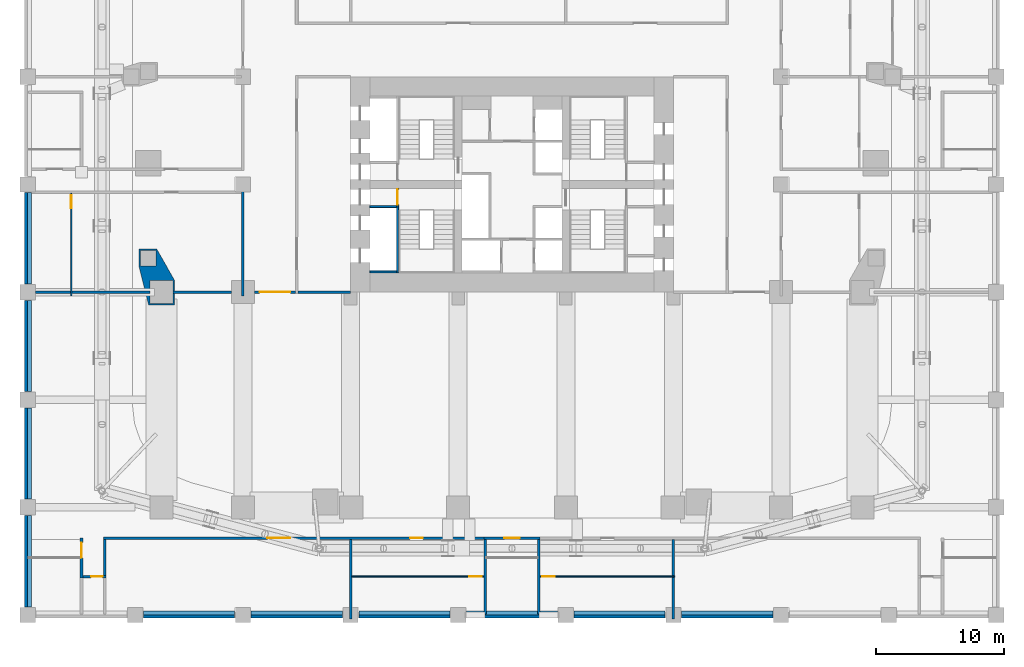
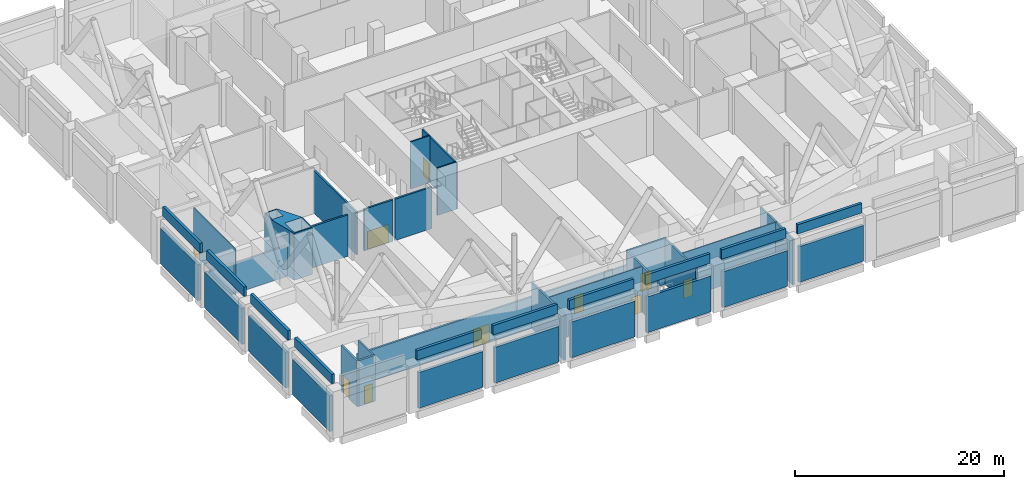
# One storey, part 7 of 17: 41 walls, 10 doors, 10 openings.
"""IFC4 building model written with IfcOpenShell, lengths in metres."""

import ifcopenshell
import ifcopenshell.guid

model = None  # the IFC model being written
_history = None  # IfcOwnerHistory: only IFC2X3 demands one
_inside = {}  # id of a spatial element -> (the spatial element, [elements in it])
_under = {}  # id of a project, library or spatial element -> (it, [spatial elements below it])
_declared = {}  # id of a project -> (the project, [libraries it declares])
_typed = {}  # id of a type object -> (the type object, [elements of that type])
_made_of = {}  # id of a material, layer set ... -> (it, [elements and type objects made of it])


def new_model(schema):
    """Start an empty IFC model of exactly this schema.

    Asked for "IFC4X3", IfcOpenShell would pick the latest addendum, in which some entities
    have other attributes; the version numbers below select the first issue.
    IFC2X3 requires an IfcOwnerHistory on every rooted entity: one is made here for all.
    """
    global model, _history
    if schema == "IFC4X3":
        model = ifcopenshell.file(schema_version=(4, 3, 0, 0))
    else:
        model = ifcopenshell.file(schema=schema)
    _inside.clear()
    _under.clear()
    _declared.clear()
    _typed.clear()
    _made_of.clear()
    _history = None
    if model.schema == "IFC2X3":
        org = make("IfcOrganization", Name="unknown")
        user = make(
            "IfcPersonAndOrganization",
            ThePerson=make("IfcPerson", FamilyName="unknown"),
            TheOrganization=org,
        )
        app = make(
            "IfcApplication",
            ApplicationDeveloper=org,
            Version="unknown",
            ApplicationFullName="unknown",
            ApplicationIdentifier="unknown",
        )
        _history = make(
            "IfcOwnerHistory",
            OwningUser=user,
            OwningApplication=app,
            ChangeAction="ADDED",
            CreationDate=0,
        )
    return model


def make(cls, **values):
    """One entity of the class cls with the attributes given. An attribute that is None is left unset."""
    return model.create_entity(
        cls, **{name: value for name, value in values.items() if value is not None}
    )


def rooted(cls, **values):
    """An entity with a GlobalId (a new one), such as an element, a storey or a relation."""
    return make(cls, GlobalId=ifcopenshell.guid.new(), OwnerHistory=_history, **values)


def si_unit(unit_type, name, prefix=None):
    """IfcSIUnit, for example si_unit("LENGTHUNIT", "METRE", prefix="MILLI")."""
    return make("IfcSIUnit", UnitType=unit_type, Prefix=prefix, Name=name)


def assignment(units):
    """IfcUnitAssignment: the units of a project."""
    return None if units is None else make("IfcUnitAssignment", Units=units)


def point(xyz):
    """IfcCartesianPoint."""
    return None if xyz is None else make("IfcCartesianPoint", Coordinates=xyz)


def direction(xyz):
    """IfcDirection."""
    return None if xyz is None else make("IfcDirection", DirectionRatios=xyz)


def frame(location, z_axis=None, x_axis=None):
    """IfcAxis2Placement3D, a coordinate frame: its origin and axes. An axis left out is left unset."""
    return make(
        "IfcAxis2Placement3D",
        Location=point(location),
        Axis=direction(z_axis),
        RefDirection=direction(x_axis),
    )


def frame_2d(location, x_axis=None):
    """IfcAxis2Placement2D, a coordinate frame in the plane: its origin and x axis."""
    return make(
        "IfcAxis2Placement2D", Location=point(location), RefDirection=direction(x_axis)
    )


def origin():
    """The frame at (0, 0, 0) with its axes left unset."""
    return frame((0.0, 0.0, 0.0))


def place(relative_to, where):
    """IfcLocalPlacement: puts the frame where relative to a parent placement (None: the world)."""
    return make(
        "IfcLocalPlacement", PlacementRelTo=relative_to, RelativePlacement=where
    )


def context(
    kind, dimensions, precision=None, world=None, true_north=None, identifier=None
):
    """IfcGeometricRepresentationContext, for example the 3D "Model" context."""
    return make(
        "IfcGeometricRepresentationContext",
        ContextIdentifier=identifier,
        ContextType=kind,
        CoordinateSpaceDimension=dimensions,
        Precision=precision,
        WorldCoordinateSystem=world,
        TrueNorth=true_north,
    )


def subcontext(parent, identifier, kind, view, scale=None):
    """IfcGeometricRepresentationSubContext, for example "Body" below "Model"."""
    return make(
        "IfcGeometricRepresentationSubContext",
        ContextIdentifier=identifier,
        ContextType=kind,
        ParentContext=parent,
        TargetScale=scale,
        TargetView=view,
    )


def project(units=None, contexts=None):
    """IfcProject with its units and contexts."""
    return rooted(
        "IfcProject",
        Name="project",
        RepresentationContexts=contexts,
        UnitsInContext=assignment(units),
    )


def spatial(cls, under=None, at=None, **own):
    """A site, building, storey or space (cls), placed at a placement, below another one or the project."""
    s = rooted(cls, ObjectPlacement=at, **own)
    if under is not None:
        _under.setdefault(under.id(), (under, []))[1].append(s)
    return s


def polyline(points):
    """IfcPolyline through the points."""
    return make("IfcPolyline", Points=[point(p) for p in points])


def profile(cls, at=None, kind="AREA", **sizes):
    """A parametric profile (cls). Its sizes go by their IFC names, for example OverallWidth=200.0."""
    return make(cls, ProfileType=kind, Position=at, **sizes)


def rectangle(**sizes):
    """IfcRectangleProfileDef."""
    return profile("IfcRectangleProfileDef", **sizes)


def outline(outer, holes=None, kind="AREA"):
    """IfcArbitraryClosedProfileDef: a profile drawn as a closed curve; with holes, ...WithVoids."""
    if holes is None:
        return make("IfcArbitraryClosedProfileDef", ProfileType=kind, OuterCurve=outer)
    return make(
        "IfcArbitraryProfileDefWithVoids",
        ProfileType=kind,
        OuterCurve=outer,
        InnerCurves=holes,
    )


def extrude(swept, where, along, depth):
    """IfcExtrudedAreaSolid: the profile swept, set in the frame where, extruded along a direction by depth."""
    return make(
        "IfcExtrudedAreaSolid",
        SweptArea=swept,
        Position=where,
        ExtrudedDirection=direction(along),
        Depth=depth,
    )


def shape(context_of_items, identifier, shape_type, items):
    """IfcShapeRepresentation: the items that make up one representation, for example the "Body"."""
    return make(
        "IfcShapeRepresentation",
        ContextOfItems=context_of_items,
        RepresentationIdentifier=identifier,
        RepresentationType=shape_type,
        Items=items,
    )


def material(Name=None, Category=None):
    """IfcMaterial."""
    return make("IfcMaterial", Name=Name, Category=Category)


def layer(
    of_material, thickness, ventilated=None, Name=None, Category=None, Priority=None
):
    """IfcMaterialLayer: one layer of a wall or slab, of a material (None: an air gap)."""
    return make(
        "IfcMaterialLayer",
        Material=of_material,
        LayerThickness=thickness,
        IsVentilated=ventilated,
        Name=Name,
        Category=Category,
        Priority=Priority,
    )


def layer_set(layers, Name=None):
    """IfcMaterialLayerSet."""
    return make("IfcMaterialLayerSet", MaterialLayers=layers, LayerSetName=Name)


def made_of(thing, what):
    """Note that an element or type object is made of a material, layer set ...; save() writes the relation."""
    if what is not None:
        _made_of.setdefault(what.id(), (what, []))[1].append(thing)
    return thing


def type_object(cls, material=None, **own):
    """A type object (cls), such as IfcWallType, which elements share."""
    return made_of(rooted(cls, **own), material)


def element(
    cls,
    number,
    at=None,
    inside=None,
    cuts=None,
    type_object=None,
    material=None,
    context=None,
    identifier="Body",
    shape_type=None,
    held_by="IfcProductDefinitionShape",
    body=None,
    shapes=None,
    **own,
):
    """One element of the class cls, such as IfcWall. Its Tag is "e" and its number.

    at: its placement. inside: the storey or other place that contains it. cuts: it is an
    opening in that element (IfcRelVoidsElement). A single representation is given by context,
    identifier, shape_type and body (its items); several are given by shapes. held_by: the class
    of the entity that holds the representations. save() writes the other relations.
    """
    e = rooted(cls, Tag="e%d" % number, ObjectPlacement=at, **own)
    if body is not None:
        shapes = [shape(context, identifier, shape_type, body)]
    if shapes is not None:
        e.Representation = make(held_by, Representations=shapes)
    if inside is not None:
        _inside.setdefault(inside.id(), (inside, []))[1].append(e)
    if cuts is not None:
        rooted(
            "IfcRelVoidsElement", RelatingBuildingElement=cuts, RelatedOpeningElement=e
        )
    if type_object is not None:
        _typed.setdefault(type_object.id(), (type_object, []))[1].append(e)
    return made_of(e, material)


def fill(opening, filler):
    """IfcRelFillsElement: the door or window that sits in an opening."""
    return rooted(
        "IfcRelFillsElement",
        RelatingOpeningElement=opening,
        RelatedBuildingElement=filler,
    )


def aggregate(whole, parts):
    """IfcRelAggregates: a whole, such as a stair, and the parts it consists of."""
    return rooted("IfcRelAggregates", RelatingObject=whole, RelatedObjects=parts)


def save(model, path):
    """Write the relations noted so far, then the file.

    IfcRelAggregates (storeys below a building ...), IfcRelContainedInSpatialStructure (elements
    in a storey), IfcRelDefinesByType, IfcRelAssociatesMaterial and IfcRelDeclares: one each for
    every whole, place, type object, material and project.
    """
    for whole, parts in _under.values():
        aggregate(whole, parts)
    for where, things in _inside.values():
        rooted(
            "IfcRelContainedInSpatialStructure",
            RelatedElements=things,
            RelatingStructure=where,
        )
    for kind, things in _typed.values():
        rooted("IfcRelDefinesByType", RelatedObjects=things, RelatingType=kind)
    for what, things in _made_of.values():
        rooted("IfcRelAssociatesMaterial", RelatedObjects=things, RelatingMaterial=what)
    for by, libraries in _declared.values():
        rooted("IfcRelDeclares", RelatingContext=by, RelatedDefinitions=libraries)
    model.write(path)


model = new_model("IFC4")

# Units and contexts
model_context = context("Model", 3, precision=1e-05, world=origin(), true_north=direction((0.0, 1.0)))
body_context = subcontext(model_context, "Body", "Model", "MODEL_VIEW")
ifc_project = project(units=[si_unit("LENGTHUNIT", "METRE"), si_unit("AREAUNIT", "SQUARE_METRE"), si_unit("VOLUMEUNIT", "CUBIC_METRE"), si_unit("PLANEANGLEUNIT", "RADIAN"), si_unit("MASSUNIT", "GRAM", prefix="KILO")], contexts=[model_context])

# Site, building, storey
site_placement = place(None, origin())
site = spatial("IfcSite", under=ifc_project, at=site_placement, CompositionType="ELEMENT")
building_placement = place(site_placement, origin())
building = spatial("IfcBuilding", under=site, at=building_placement, Name="Marenta Gate Hotel Tower", CompositionType="ELEMENT")
storey_placement = place(building_placement, frame((0.0, 0.0, 31.0)))
storey = spatial("IfcBuildingStorey", under=building, at=storey_placement, Name="L05", CompositionType="ELEMENT", Elevation=31.0)

# Walls
ifc_material_1 = material(Name="Concrete C40 board-marked", Category="concrete")
ifc_layer_1 = layer(ifc_material_1, 0.300048828125)
ifc_layer_set_1 = layer_set([ifc_layer_1], Name="Concrete C40 board-marked")
wall_type_1 = type_object("IfcWallType", Name="Board-marked concrete wall 300 mm", PredefinedType="NOTDEFINED", material=ifc_layer_set_1)
for number, where, z_axis, x_axis, name in (
    (1, (-28.760009765625, -25.2900390625, 0.0), (0.0, 0.0, 1.0), (1.0, 0.0, 0.0), "L05-CLD-P-S001"),
    (2, (-20.360107421875, -25.2900390625, 0.0), (0.0, 0.0, 1.0), (1.0, 0.0, 0.0), "L05-CLD-P-S002"),
):
    element("IfcWall", number, at=place(storey_placement, frame(where, z_axis=z_axis, x_axis=x_axis)), inside=storey, type_object=wall_type_1, Name=name, PredefinedType="NOTDEFINED", context=body_context, shape_type="SweptSolid", body=[
        extrude(rectangle(XDim=7.1201171875, YDim=0.300048828125, at=frame_2d((3.56005859375, 0.0))), origin(), (0.0, 0.0, 1.0), 4.179931640625),
    ])
wall_1_placement = place(storey_placement, frame((-11.9599609375, -25.2900390625, 0.0), z_axis=(0.0, 0.0, 1.0), x_axis=(1.0, 0.0, 0.0)))
element("IfcWall", 3, at=wall_1_placement, inside=storey, type_object=wall_type_1, Name="L05-CLD-P-S003", PredefinedType="NOTDEFINED", context=body_context, shape_type="SweptSolid", body=[
    extrude(rectangle(XDim=7.119873046875, YDim=0.300048828125, at=frame_2d((3.56005859375, 0.0))), origin(), (0.0, 0.0, 1.0), 4.179931640625),
])
wall_2_placement = place(storey_placement, frame((-3.56005859375, -25.2900390625, 0.0), z_axis=(0.0, 0.0, 1.0), x_axis=(1.0, 0.0, 0.0)))
element("IfcWall", 4, at=wall_2_placement, inside=storey, type_object=wall_type_1, Name="L05-CLD-P-S004", PredefinedType="NOTDEFINED", context=body_context, shape_type="SweptSolid", body=[
    extrude(rectangle(XDim=7.1201171875, YDim=0.300048828125, at=frame_2d((3.56005859375, 0.0))), origin(), (0.0, 0.0, 1.0), 4.179931640625),
])
wall_3_placement = place(storey_placement, frame((4.840087890625, -25.2900390625, 0.0), z_axis=(0.0, 0.0, 1.0), x_axis=(1.0, 0.0, 0.0)))
element("IfcWall", 5, at=wall_3_placement, inside=storey, type_object=wall_type_1, Name="L05-CLD-P-S005", PredefinedType="NOTDEFINED", context=body_context, shape_type="SweptSolid", body=[
    extrude(rectangle(XDim=7.119873046875, YDim=0.300048828125, at=frame_2d((3.56005859375, 0.0))), origin(), (0.0, 0.0, 1.0), 4.179931640625),
])
for number, where, z_axis, x_axis, name in (
    (6, (13.239990234375, -25.2900390625, 0.0), (0.0, 0.0, 1.0), (1.0, 0.0, 0.0), "L05-CLD-P-S006"),
    (7, (-37.889892578125, 7.760009765625, 0.0), (0.0, 0.0, 1.0), (0.0, -1.0, 0.0), "L05-CLD-P-W004"),
    (8, (-37.889892578125, -0.639892578125, 0.0), (0.0, 0.0, 1.0), (0.0, -1.0, 0.0), "L05-CLD-P-W005"),
):
    element("IfcWall", number, at=place(storey_placement, frame(where, z_axis=z_axis, x_axis=x_axis)), inside=storey, type_object=wall_type_1, Name=name, PredefinedType="NOTDEFINED", context=body_context, shape_type="SweptSolid", body=[
        extrude(rectangle(XDim=7.1201171875, YDim=0.300048828125, at=frame_2d((3.56005859375, 0.0))), origin(), (0.0, 0.0, 1.0), 4.179931640625),
    ])
wall_4_placement = place(storey_placement, frame((-37.889892578125, -9.0400390625, 0.0), z_axis=(0.0, 0.0, 1.0), x_axis=(0.0, -1.0, 0.0)))
element("IfcWall", 9, at=wall_4_placement, inside=storey, type_object=wall_type_1, Name="L05-CLD-P-W006", PredefinedType="NOTDEFINED", context=body_context, shape_type="SweptSolid", body=[
    extrude(rectangle(XDim=7.119873046875, YDim=0.300048828125, at=frame_2d((3.56005859375, 0.0))), origin(), (0.0, 0.0, 1.0), 4.179931640625),
])
wall_5_placement = place(storey_placement, frame((-37.889892578125, -17.43994140625, 0.0), z_axis=(0.0, 0.0, 1.0), x_axis=(0.0, -1.0, 0.0)))
element("IfcWall", 10, at=wall_5_placement, inside=storey, type_object=wall_type_1, Name="L05-CLD-P-W007", PredefinedType="NOTDEFINED", context=body_context, shape_type="SweptSolid", body=[
    extrude(rectangle(XDim=7.1201171875, YDim=0.300048828125, at=frame_2d((3.56005859375, 0.0))), origin(), (0.0, 0.0, 1.0), 4.179931640625),
])
ifc_material_2 = material(Name="Concrete blockwork", Category="masonry")
ifc_layer_2 = layer(ifc_material_2, 0.199951171875)
ifc_layer_set_2 = layer_set([ifc_layer_2], Name="Concrete blockwork")
wall_type_2 = type_object("IfcWallType", Name="Compartment wall 200 REI 180", PredefinedType="PARTITIONING", material=ifc_layer_set_2)
wall_6_placement = place(storey_placement, frame((-37.198974609375, 0.0, 0.0), z_axis=(0.0, 0.0, 1.0), x_axis=(1.0, 0.0, 0.0)))
element("IfcWall", 11, at=wall_6_placement, inside=storey, type_object=wall_type_2, Name="L05-CMP-W01", PredefinedType="PARTITIONING", context=body_context, shape_type="SweptSolid", body=[
    extrude(rectangle(XDim=8.93505859375, YDim=0.199951171875, at=frame_2d((4.467529296875, 0.0))), origin(), (0.0, 0.0, 1.0), 3.580078125),
])
wall_7_placement = place(storey_placement, frame((-26.4619140625, 0.0, 0.0), z_axis=(0.0, 0.0, 1.0), x_axis=(1.0, 0.0, 0.0)))
element("IfcWall", 12, at=wall_7_placement, inside=storey, type_object=wall_type_2, Name="L05-CMP-W02", PredefinedType="PARTITIONING", context=body_context, shape_type="SweptSolid", body=[
    extrude(rectangle(XDim=4.56103515625, YDim=0.199951171875, at=frame_2d((2.280517578125, 0.0))), origin(), (0.0, 0.0, 1.0), 4.85009765625),
])

# Wall, opening, door
wall_8_placement = place(storey_placement, frame((-20.09912109375, 0.0, 0.0), z_axis=(0.0, 0.0, 1.0), x_axis=(1.0, 0.0, 0.0)))
wall_8 = element("IfcWall", 13, at=wall_8_placement, inside=storey, type_object=wall_type_2, Name="L05-CMP-W03", PredefinedType="PARTITIONING", context=body_context, shape_type="SweptSolid", body=[
    extrude(rectangle(XDim=3.1982421875, YDim=0.199951171875, at=frame_2d((1.59912109375, 0.0))), origin(), (0.0, 0.0, 1.0), 4.85009765625),
])
opening_1_placement = place(wall_8_placement, frame((0.39892578125, 0.0, 0.0)))
opening_1 = element("IfcOpeningElement", 14, at=opening_1_placement, cuts=wall_8, Name="Opening S06-FD1", PredefinedType="OPENING", context=body_context, shape_type="SweptSolid", body=[
    extrude(rectangle(XDim=2.39990234375, YDim=2.10009765625, at=frame_2d((1.199951171875, 1.050048828125))), frame((0.0, 0.10009765625, 0.0), z_axis=(0.0, -1.0, 0.0), x_axis=(1.0, 0.0, 0.0)), (0.0, 0.0, 1.0), 0.199951171875),
])
ifc_material_3 = material(Name="Hollow steel door set", Category="steel")
door_type_1 = type_object("IfcDoorType", Name="Compartment fire door 2400x2100 EI 60", OperationType="DOUBLE_DOOR_DOUBLE_SWING", PredefinedType="DOOR", material=ifc_material_3)
door_1_placement = place(opening_1_placement, origin())
door_1 = element("IfcDoor", 15, at=door_1_placement, inside=storey, type_object=door_type_1, Name="L05-PD-FD01", OperationType="DOUBLE_DOOR_DOUBLE_SWING", OverallHeight=2.10009765625, OverallWidth=2.39990234375, PredefinedType="DOOR", context=body_context, shape_type="SweptSolid", body=[
    extrude(rectangle(XDim=2.39990234375, YDim=2.10009765625, at=frame_2d((1.199951171875, 1.050048828125))), frame((0.0, 0.02490234375, 0.0), z_axis=(0.0, -1.0, 0.0), x_axis=(1.0, 0.0, 0.0)), (0.0, 0.0, 1.0), 0.050048828125),
])
fill(opening_1, door_1)

# Walls
ifc_material_4 = material(Name="Concrete blockwork", Category="masonry")
ifc_layer_3 = layer(ifc_material_4, 0.199951171875)
ifc_layer_set_3 = layer_set([ifc_layer_3], Name="Concrete blockwork")
wall_type_3 = type_object("IfcWallType", Name="Core boundary wall 200 REI 180", PredefinedType="PARTITIONING", material=ifc_layer_set_3)
wall_9_placement = place(storey_placement, frame((-16.699951171875, 0.0, 0.0), z_axis=(0.0, 0.0, 1.0), x_axis=(1.0, 0.0, 0.0)))
element("IfcWall", 16, at=wall_9_placement, inside=storey, type_object=wall_type_3, Name="L05-CP-EW-WS", PredefinedType="PARTITIONING", context=body_context, shape_type="SweptSolid", body=[
    extrude(rectangle(XDim=4.099853515625, YDim=0.199951171875, at=frame_2d((2.0498046875, 0.0))), origin(), (0.0, 0.0, 1.0), 4.85009765625),
])
ifc_material_5 = material(Name="Concrete C40", Category="concrete")
ifc_layer_4 = layer(ifc_material_5, 0.14990234375)
ifc_layer_set_4 = layer_set([ifc_layer_4], Name="Concrete C40")
wall_type_4 = type_object("IfcWallType", Name="Core shaft wall 150 REI 180", PredefinedType="SHEAR", material=ifc_layer_set_4)
for number, where, z_axis, x_axis, name in (
    (17, (-11.10009765625, 6.675048828125, 0.0), (0.0, 0.0, 1.0), (1.0, 0.0, 0.0), "L05-SHF-SW-WS-2"),
    (18, (-11.10009765625, 1.574951171875, 0.0), (0.0, 0.0, 1.0), (1.0, 0.0, 0.0), "L05-SHF-SW-WS-5"),
):
    element("IfcWall", number, at=place(storey_placement, frame(where, z_axis=z_axis, x_axis=x_axis)), inside=storey, type_object=wall_type_4, Name=name, PredefinedType="SHEAR", context=body_context, shape_type="SweptSolid", body=[
        extrude(rectangle(XDim=2.10009765625, YDim=0.14990234375, at=frame_2d((1.050048828125, 0.0))), origin(), (0.0, 0.0, 1.0), 5.5),
    ])

# Wall, opening, door
ifc_material_6 = material(Name="Concrete C40", Category="concrete")
ifc_layer_5 = layer(ifc_material_6, 0.14990234375)
ifc_layer_set_5 = layer_set([ifc_layer_5], Name="Concrete C40")
wall_type_5 = type_object("IfcWallType", Name="Core stair enclosure wall 150 REI 180", PredefinedType="SHEAR", material=ifc_layer_set_5)
wall_10_placement = place(storey_placement, frame((-8.925048828125, 1.5, 0.0), z_axis=(0.0, 0.0, 1.0), x_axis=(0.0, 1.0, 0.0)))
wall_10 = element("IfcWall", 19, at=wall_10_placement, inside=storey, type_object=wall_type_5, Name="L05-SHF-SW-WS-3", PredefinedType="SHEAR", context=body_context, shape_type="SweptSolid", body=[
    extrude(rectangle(XDim=6.60009765625, YDim=0.14990234375, at=frame_2d((3.300048828125, 0.0))), origin(), (0.0, 0.0, 1.0), 5.35009765625),
])
opening_2_placement = place(wall_10_placement, frame((5.324951171875, 0.0, 0.0)))
opening_2 = element("IfcOpeningElement", 20, at=opening_2_placement, cuts=wall_10, Name="Opening SD-WS", PredefinedType="OPENING", context=body_context, shape_type="SweptSolid", body=[
    extrude(rectangle(XDim=1.199951171875, YDim=2.10009765625, at=frame_2d((0.60009765625, 1.050048828125))), frame((0.0, 0.074951171875, 0.0), z_axis=(0.0, -1.0, 0.0), x_axis=(1.0, 0.0, 0.0)), (0.0, 0.0, 1.0), 0.14990234375),
])
ifc_material_7 = material(Name="Steel", Category="steel")
door_type_2 = type_object("IfcDoorType", Name="Core stair door 1200x2100 FD60", OperationType="SINGLE_SWING_LEFT", PredefinedType="DOOR", material=ifc_material_7)
door_2_placement = place(opening_2_placement, origin())
door_2 = element("IfcDoor", 21, at=door_2_placement, inside=storey, type_object=door_type_2, Name="SD-WS", OperationType="SINGLE_SWING_LEFT", OverallHeight=2.10009765625, OverallWidth=1.199951171875, PredefinedType="DOOR", context=body_context, shape_type="SweptSolid", body=[
    extrude(rectangle(XDim=1.199951171875, YDim=2.10009765625, at=frame_2d((0.60009765625, 1.050048828125))), frame((0.0, 0.02490234375, 0.0), z_axis=(0.0, -1.0, 0.0), x_axis=(1.0, 0.0, 0.0)), (0.0, 0.0, 1.0), 0.050048828125),
])
fill(opening_2, door_2)

# Walls
ifc_material_8 = material(Name="Concrete C40 board-marked", Category="concrete")
ifc_layer_6 = layer(ifc_material_8, 0.300048828125)
ifc_layer_set_6 = layer_set([ifc_layer_6], Name="Concrete C40 board-marked")
wall_type_6 = type_object("IfcWallType", Name="Parapet 300 mm board-marked concrete", PredefinedType="PARAPET", material=ifc_layer_set_6)
wall_11_placement = place(storey_placement, frame((-37.64990234375, -24.56005859375, 5.5), z_axis=(0.0, 0.0, 1.0), x_axis=(0.0, 1.0, 0.0)))
element("IfcWall", 22, at=wall_11_placement, inside=storey, type_object=wall_type_6, Name="L05-PAR-00000", PredefinedType="PARAPET", context=body_context, shape_type="SweptSolid", body=[
    extrude(rectangle(XDim=7.1201171875, YDim=0.300048828125, at=frame_2d((3.56005859375, 0.0))), origin(), (0.0, 0.0, 1.0), 1.10009765625),
])
wall_12_placement = place(storey_placement, frame((-37.64990234375, -16.159912109375, 5.5), z_axis=(0.0, 0.0, 1.0), x_axis=(0.0, 1.0, 0.0)))
element("IfcWall", 23, at=wall_12_placement, inside=storey, type_object=wall_type_6, Name="L05-PAR-00001", PredefinedType="PARAPET", context=body_context, shape_type="SweptSolid", body=[
    extrude(rectangle(XDim=7.119873046875, YDim=0.300048828125, at=frame_2d((3.56005859375, 0.0))), origin(), (0.0, 0.0, 1.0), 1.10009765625),
])
for number, where, z_axis, x_axis, name in (
    (24, (-37.64990234375, -7.760009765625, 5.5), (0.0, 0.0, 1.0), (0.0, 1.0, 0.0), "L05-PAR-00002"),
    (25, (-37.64990234375, 0.639892578125, 5.5), (0.0, 0.0, 1.0), (0.0, 1.0, 0.0), "L05-PAR-00003"),
    (26, (20.360107421875, -25.050048828125, 5.5), (0.0, 0.0, 1.0), (-1.0, 0.0, 0.0), "L05-PAR-00032"),
):
    element("IfcWall", number, at=place(storey_placement, frame(where, z_axis=z_axis, x_axis=x_axis)), inside=storey, type_object=wall_type_6, Name=name, PredefinedType="PARAPET", context=body_context, shape_type="SweptSolid", body=[
        extrude(rectangle(XDim=7.1201171875, YDim=0.300048828125, at=frame_2d((3.56005859375, 0.0))), origin(), (0.0, 0.0, 1.0), 1.10009765625),
    ])
wall_13_placement = place(storey_placement, frame((11.9599609375, -25.050048828125, 5.5), z_axis=(0.0, 0.0, 1.0), x_axis=(-1.0, 0.0, 0.0)))
element("IfcWall", 27, at=wall_13_placement, inside=storey, type_object=wall_type_6, Name="L05-PAR-00033", PredefinedType="PARAPET", context=body_context, shape_type="SweptSolid", body=[
    extrude(rectangle(XDim=7.119873046875, YDim=0.300048828125, at=frame_2d((3.56005859375, 0.0))), origin(), (0.0, 0.0, 1.0), 1.10009765625),
])
wall_14_placement = place(storey_placement, frame((3.56005859375, -25.050048828125, 5.5), z_axis=(0.0, 0.0, 1.0), x_axis=(-1.0, 0.0, 0.0)))
element("IfcWall", 28, at=wall_14_placement, inside=storey, type_object=wall_type_6, Name="L05-PAR-00034", PredefinedType="PARAPET", context=body_context, shape_type="SweptSolid", body=[
    extrude(rectangle(XDim=7.1201171875, YDim=0.300048828125, at=frame_2d((3.56005859375, 0.0))), origin(), (0.0, 0.0, 1.0), 1.10009765625),
])
wall_15_placement = place(storey_placement, frame((-4.840087890625, -25.050048828125, 5.5), z_axis=(0.0, 0.0, 1.0), x_axis=(-1.0, 0.0, 0.0)))
element("IfcWall", 29, at=wall_15_placement, inside=storey, type_object=wall_type_6, Name="L05-PAR-00035", PredefinedType="PARAPET", context=body_context, shape_type="SweptSolid", body=[
    extrude(rectangle(XDim=7.119873046875, YDim=0.300048828125, at=frame_2d((3.56005859375, 0.0))), origin(), (0.0, 0.0, 1.0), 1.10009765625),
])
for number, where, z_axis, x_axis, name in (
    (30, (-13.239990234375, -25.050048828125, 5.5), (0.0, 0.0, 1.0), (-1.0, 0.0, 0.0), "L05-PAR-00036"),
    (31, (-21.639892578125, -25.050048828125, 5.5), (0.0, 0.0, 1.0), (-1.0, 0.0, 0.0), "L05-PAR-00037"),
):
    element("IfcWall", number, at=place(storey_placement, frame(where, z_axis=z_axis, x_axis=x_axis)), inside=storey, type_object=wall_type_6, Name=name, PredefinedType="PARAPET", context=body_context, shape_type="SweptSolid", body=[
        extrude(rectangle(XDim=7.1201171875, YDim=0.300048828125, at=frame_2d((3.56005859375, 0.0))), origin(), (0.0, 0.0, 1.0), 1.10009765625),
    ])
ifc_material_9 = material(Name="Concrete C70", Category="concrete")
ifc_layer_7 = layer(ifc_material_9, 1.60009765625)
ifc_layer_set_7 = layer_set([ifc_layer_7], Name="Concrete C70")
wall_type_7 = type_object("IfcWallType", Name="Pier wall board-marked concrete C70", PredefinedType="SOLIDWALL", material=ifc_layer_set_7)
wall_16_placement = place(storey_placement, origin())
element("IfcWall", 32, at=wall_16_placement, inside=storey, type_object=wall_type_7, Name="L05-PIER-1", PredefinedType="SOLIDWALL", context=body_context, shape_type="SweptSolid", body=[
    extrude(outline(polyline([(-29.1201171875, 2.034423828125), (-29.1201171875, 3.369140625), (-27.730224609375, 3.369140625), (-26.343017578125, 0.931640625), (-26.343017578125, -1.02001953125), (-28.356689453125, -1.02001953125), (-29.1201171875, 2.034423828125)]), holes=[polyline([(-28.262939453125, -0.89990234375), (-26.462890625, -0.89990234375), (-26.462890625, 0.89990234375), (-28.262939453125, 0.89990234375), (-28.262939453125, -0.89990234375)]), polyline([(-29.0, 2.049072265625), (-27.800048828125, 2.049072265625), (-27.800048828125, 3.2490234375), (-29.0, 3.2490234375), (-29.0, 2.049072265625)])]), origin(), (0.0, 0.0, 1.0), 5.5),
])

# Wall, openings, doors
ifc_material_10 = material(Name="Concrete blockwork", Category="masonry")
ifc_layer_8 = layer(ifc_material_10, 0.199951171875)
ifc_layer_set_8 = layer_set([ifc_layer_8], Name="Concrete blockwork")
wall_type_8 = type_object("IfcWallType", Name="Room corridor wall 200 EI 120", PredefinedType="PARTITIONING", material=ifc_layer_set_8)
wall_17_placement = place(storey_placement, frame((-31.89990234375, -19.199951171875, 0.0), z_axis=(0.0, 0.0, 1.0), x_axis=(1.0, 0.0, 0.0)))
wall_17 = element("IfcWall", 33, at=wall_17_placement, inside=storey, type_object=wall_type_8, Name="L05-PTN-W019", PredefinedType="PARTITIONING", context=body_context, shape_type="SweptSolid", body=[
    extrude(rectangle(XDim=29.699951171875, YDim=0.199951171875, at=frame_2d((14.85009765625, 0.0))), origin(), (0.0, 0.0, 1.0), 3.699951171875),
])
opening_3_placement = place(wall_17_placement, frame((12.800048828125, 0.0, 0.0)))
opening_3 = element("IfcOpeningElement", 34, at=opening_3_placement, cuts=wall_17, Name="Opening S06-29", PredefinedType="OPENING", context=body_context, shape_type="SweptSolid", body=[
    extrude(rectangle(XDim=1.800048828125, YDim=2.10009765625, at=frame_2d((0.89990234375, 1.050048828125))), frame((0.0, 0.10009765625, 0.0), z_axis=(0.0, -1.0, 0.0), x_axis=(1.0, 0.0, 0.0)), (0.0, 0.0, 1.0), 0.199951171875),
])
opening_4_placement = place(wall_17_placement, frame((23.949951171875, 0.0, 0.0)))
opening_4 = element("IfcOpeningElement", 35, at=opening_4_placement, cuts=wall_17, Name="Opening S06-30", PredefinedType="OPENING", context=body_context, shape_type="SweptSolid", body=[
    extrude(rectangle(XDim=1.0, YDim=2.10009765625, at=frame_2d((0.5, 1.050048828125))), frame((0.0, 0.10009765625, 0.0), z_axis=(0.0, -1.0, 0.0), x_axis=(1.0, 0.0, 0.0)), (0.0, 0.0, 1.0), 0.199951171875),
])
ifc_material_11 = material(Name="Timber door leaf", Category="wood")
door_type_3 = type_object("IfcDoorType", Name="Room amenity door 1000x2100 EI 60", OperationType="NOTDEFINED", PredefinedType="DOOR", material=ifc_material_11)
door_3_placement = place(opening_4_placement, origin())
door_3 = element("IfcDoor", 36, at=door_3_placement, inside=storey, type_object=door_type_3, Name="L05-PD-D030", OperationType="SINGLE_SWING_RIGHT", OverallHeight=2.10009765625, OverallWidth=1.0, PredefinedType="DOOR", context=body_context, shape_type="SweptSolid", body=[
    extrude(rectangle(XDim=1.0, YDim=2.10009765625, at=frame_2d((0.5, 1.050048828125))), frame((0.0, 0.02490234375, 0.0), z_axis=(0.0, -1.0, 0.0), x_axis=(1.0, 0.0, 0.0)), (0.0, 0.0, 1.0), 0.050048828125),
])
fill(opening_4, door_3)
ifc_material_12 = material(Name="Timber door leaf", Category="wood")
door_type_4 = type_object("IfcDoorType", Name="Room amenity door 1800x2100 EI 60", OperationType="DOUBLE_DOOR_SINGLE_SWING", PredefinedType="DOOR", material=ifc_material_12)
door_4_placement = place(opening_3_placement, origin())
door_4 = element("IfcDoor", 37, at=door_4_placement, inside=storey, type_object=door_type_4, Name="L05-PD-D029", OperationType="DOUBLE_DOOR_SINGLE_SWING", OverallHeight=2.10009765625, OverallWidth=1.800048828125, PredefinedType="DOOR", context=body_context, shape_type="SweptSolid", body=[
    extrude(rectangle(XDim=1.800048828125, YDim=2.10009765625, at=frame_2d((0.89990234375, 1.050048828125))), frame((0.0, 0.02490234375, 0.0), z_axis=(0.0, -1.0, 0.0), x_axis=(1.0, 0.0, 0.0)), (0.0, 0.0, 1.0), 0.050048828125),
])
fill(opening_3, door_4)

# Wall
wall_18_placement = place(storey_placement, frame((-21.0, -0.300048828125, 0.0), z_axis=(0.0, 0.0, 1.0), x_axis=(0.0, 1.0, 0.0)))
element("IfcWall", 38, at=wall_18_placement, inside=storey, type_object=wall_type_8, Name="L05-PTN-W047", PredefinedType="PARTITIONING", context=body_context, shape_type="SweptSolid", body=[
    extrude(rectangle(XDim=8.199951171875, YDim=0.199951171875, at=frame_2d((4.10009765625, 0.0))), origin(), (0.0, 0.0, 1.0), 4.949951171875),
])

# Wall, opening, door
ifc_material_13 = material(Name="Concrete blockwork", Category="masonry")
ifc_layer_9 = layer(ifc_material_13, 0.199951171875)
ifc_layer_set_9 = layer_set([ifc_layer_9], Name="Concrete blockwork")
wall_type_9 = type_object("IfcWallType", Name="Room corridor wall 200 REI 180", PredefinedType="PARTITIONING", material=ifc_layer_set_9)
wall_19_placement = place(storey_placement, frame((-33.5, -22.199951171875, 0.0), z_axis=(0.0, 0.0, 1.0), x_axis=(1.0, 0.0, 0.0)))
wall_19 = element("IfcWall", 39, at=wall_19_placement, inside=storey, type_object=wall_type_9, Name="L05-PTN-W011", PredefinedType="PARTITIONING", context=body_context, shape_type="SweptSolid", body=[
    extrude(rectangle(XDim=1.800048828125, YDim=0.199951171875, at=frame_2d((0.89990234375, 0.0))), origin(), (0.0, 0.0, 1.0), 5.35009765625),
])
opening_5_placement = place(wall_19_placement, frame((0.64990234375, 0.0, 0.0)))
opening_5 = element("IfcOpeningElement", 40, at=opening_5_placement, cuts=wall_19, Name="Opening S06-26", PredefinedType="OPENING", context=body_context, shape_type="SweptSolid", body=[
    extrude(rectangle(XDim=0.89990234375, YDim=2.10009765625, at=frame_2d((0.449951171875, 1.050048828125))), frame((0.0, 0.10009765625, 0.0), z_axis=(0.0, -1.0, 0.0), x_axis=(1.0, 0.0, 0.0)), (0.0, 0.0, 1.0), 0.199951171875),
])
ifc_material_14 = material(Name="Hollow steel door set", Category="steel")
door_type_5 = type_object("IfcDoorType", Name="Room service door 900x2100 EI 60", OperationType="NOTDEFINED", PredefinedType="DOOR", material=ifc_material_14)
door_5_placement = place(opening_5_placement, origin())
door_5 = element("IfcDoor", 41, at=door_5_placement, inside=storey, type_object=door_type_5, Name="L05-PD-D026", OperationType="SINGLE_SWING_LEFT", OverallHeight=2.10009765625, OverallWidth=0.89990234375, PredefinedType="DOOR", context=body_context, shape_type="SweptSolid", body=[
    extrude(rectangle(XDim=0.89990234375, YDim=2.10009765625, at=frame_2d((0.449951171875, 1.050048828125))), frame((0.0, 0.02490234375, 0.0), z_axis=(0.0, -1.0, 0.0), x_axis=(1.0, 0.0, 0.0)), (0.0, 0.0, 1.0), 0.050048828125),
])
fill(opening_5, door_5)

wall_20_placement = place(storey_placement, frame((-2.199951171875, -19.199951171875, 0.0), z_axis=(0.0, 0.0, 1.0), x_axis=(1.0, 0.0, 0.0)))
wall_20 = element("IfcWall", 42, at=wall_20_placement, inside=storey, type_object=wall_type_9, Name="L05-PTN-W021", PredefinedType="PARTITIONING", context=body_context, shape_type="SweptSolid", body=[
    extrude(rectangle(XDim=4.39990234375, YDim=0.199951171875, at=frame_2d((2.199951171875, 0.0))), origin(), (0.0, 0.0, 1.0), 5.35009765625),
])
opening_6_placement = place(wall_20_placement, frame((1.60009765625, 0.0, 0.0)))
opening_6 = element("IfcOpeningElement", 43, at=opening_6_placement, cuts=wall_20, Name="Opening S06-35", PredefinedType="OPENING", context=body_context, shape_type="SweptSolid", body=[
    extrude(rectangle(XDim=1.199951171875, YDim=2.10009765625, at=frame_2d((0.60009765625, 1.050048828125))), frame((0.0, 0.10009765625, 0.0), z_axis=(0.0, -1.0, 0.0), x_axis=(1.0, 0.0, 0.0)), (0.0, 0.0, 1.0), 0.199951171875),
])
ifc_material_15 = material(Name="Hollow steel door set", Category="steel")
door_type_6 = type_object("IfcDoorType", Name="Podium stair door 1200x2100 EI 60", OperationType="NOTDEFINED", PredefinedType="DOOR", material=ifc_material_15)
door_6_placement = place(opening_6_placement, origin())
door_6 = element("IfcDoor", 44, at=door_6_placement, inside=storey, type_object=door_type_6, Name="L05-PD-D035", OperationType="SINGLE_SWING_LEFT", OverallHeight=2.10009765625, OverallWidth=1.199951171875, PredefinedType="DOOR", context=body_context, shape_type="SweptSolid", body=[
    extrude(rectangle(XDim=1.199951171875, YDim=2.10009765625, at=frame_2d((0.60009765625, 1.050048828125))), frame((0.0, 0.02490234375, 0.0), z_axis=(0.0, -1.0, 0.0), x_axis=(1.0, 0.0, 0.0)), (0.0, 0.0, 1.0), 0.050048828125),
])
fill(opening_6, door_6)

# Wall
wall_21_placement = place(storey_placement, frame((-31.800048828125, -22.10009765625, 0.0), z_axis=(0.0, 0.0, 1.0), x_axis=(0.0, 1.0, 0.0)))
element("IfcWall", 45, at=wall_21_placement, inside=storey, type_object=wall_type_9, Name="L05-PTN-W061", PredefinedType="PARTITIONING", context=body_context, shape_type="SweptSolid", body=[
    extrude(rectangle(XDim=2.800048828125, YDim=0.199951171875, at=frame_2d((1.39990234375, 0.0))), origin(), (0.0, 0.0, 1.0), 5.35009765625),
])

# Wall, opening, door
wall_22_placement = place(storey_placement, frame((-33.60009765625, -22.300048828125, 0.0), z_axis=(0.0, 0.0, 1.0), x_axis=(0.0, 1.0, 0.0)))
wall_22 = element("IfcWall", 46, at=wall_22_placement, inside=storey, type_object=wall_type_9, Name="L05-PTN-W064", PredefinedType="PARTITIONING", context=body_context, shape_type="SweptSolid", body=[
    extrude(rectangle(XDim=3.10009765625, YDim=0.199951171875, at=frame_2d((1.550048828125, 0.0))), origin(), (0.0, 0.0, 1.0), 5.35009765625),
])
opening_7_placement = place(wall_22_placement, frame((1.550048828125, 0.0, 0.0)))
opening_7 = element("IfcOpeningElement", 47, at=opening_7_placement, cuts=wall_22, Name="Opening S06-25", PredefinedType="OPENING", context=body_context, shape_type="SweptSolid", body=[
    extrude(rectangle(XDim=1.199951171875, YDim=2.10009765625, at=frame_2d((0.60009765625, 1.050048828125))), frame((0.0, 0.10009765625, 0.0), z_axis=(0.0, -1.0, 0.0), x_axis=(1.0, 0.0, 0.0)), (0.0, 0.0, 1.0), 0.199951171875),
])
door_7_placement = place(opening_7_placement, origin())
door_7 = element("IfcDoor", 48, at=door_7_placement, inside=storey, type_object=door_type_6, Name="L05-PD-D025", OperationType="SINGLE_SWING_RIGHT", OverallHeight=2.10009765625, OverallWidth=1.199951171875, PredefinedType="DOOR", context=body_context, shape_type="SweptSolid", body=[
    extrude(rectangle(XDim=1.199951171875, YDim=2.10009765625, at=frame_2d((0.60009765625, 1.050048828125))), frame((0.0, 0.02490234375, 0.0), z_axis=(0.0, -1.0, 0.0), x_axis=(1.0, 0.0, 0.0)), (0.0, 0.0, 1.0), 0.050048828125),
])
fill(opening_7, door_7)

ifc_material_16 = material(Name="Gypsum board on steel stud", Category="steel")
ifc_layer_10 = layer(ifc_material_16, 0.10009765625)
ifc_layer_set_10 = layer_set([ifc_layer_10], Name="Gypsum board on steel stud")
wall_type_10 = type_object("IfcWallType", Name="Room partition 100", PredefinedType="PARTITIONING", material=ifc_layer_set_10)
wall_23_placement = place(storey_placement, frame((-12.5, -22.199951171875, 0.0), z_axis=(0.0, 0.0, 1.0), x_axis=(1.0, 0.0, 0.0)))
wall_23 = element("IfcWall", 49, at=wall_23_placement, inside=storey, type_object=wall_type_10, Name="L05-PTN-W013", PredefinedType="PARTITIONING", context=body_context, shape_type="SweptSolid", body=[
    extrude(rectangle(XDim=10.300048828125, YDim=0.10009765625, at=frame_2d((5.14990234375, 0.0))), origin(), (0.0, 0.0, 1.0), 5.35009765625),
])
opening_8_placement = place(wall_23_placement, frame((9.14990234375, 0.0, 0.0)))
opening_8 = element("IfcOpeningElement", 50, at=opening_8_placement, cuts=wall_23, Name="Opening S06-32", PredefinedType="OPENING", context=body_context, shape_type="SweptSolid", body=[
    extrude(rectangle(XDim=1.0, YDim=2.10009765625, at=frame_2d((0.5, 1.050048828125))), frame((0.0, 0.050048828125, 0.0), z_axis=(0.0, -1.0, 0.0), x_axis=(1.0, 0.0, 0.0)), (0.0, 0.0, 1.0), 0.10009765625),
])
ifc_material_17 = material(Name="Timber door leaf", Category="wood")
door_type_7 = type_object("IfcDoorType", Name="Room inner door 1000x2100", OperationType="NOTDEFINED", PredefinedType="DOOR", material=ifc_material_17)
door_8_placement = place(opening_8_placement, origin())
door_8 = element("IfcDoor", 51, at=door_8_placement, inside=storey, type_object=door_type_7, Name="L05-PD-D032", OperationType="SINGLE_SWING_LEFT", OverallHeight=2.10009765625, OverallWidth=1.0, PredefinedType="DOOR", context=body_context, shape_type="SweptSolid", body=[
    extrude(rectangle(XDim=1.0, YDim=2.10009765625, at=frame_2d((0.5, 1.050048828125))), frame((0.0, 0.02490234375, 0.0), z_axis=(0.0, -1.0, 0.0), x_axis=(1.0, 0.0, 0.0)), (0.0, 0.0, 1.0), 0.050048828125),
])
fill(opening_8, door_8)

wall_24_placement = place(storey_placement, frame((2.199951171875, -22.199951171875, 0.0), z_axis=(0.0, 0.0, 1.0), x_axis=(1.0, 0.0, 0.0)))
wall_24 = element("IfcWall", 52, at=wall_24_placement, inside=storey, type_object=wall_type_10, Name="L05-PTN-W014", PredefinedType="PARTITIONING", context=body_context, shape_type="SweptSolid", body=[
    extrude(rectangle(XDim=10.5, YDim=0.10009765625, at=frame_2d((5.25, 0.0))), origin(), (0.0, 0.0, 1.0), 5.35009765625),
])
opening_9_placement = place(wall_24_placement, frame((0.14990234375, 0.0, 0.0)))
opening_9 = element("IfcOpeningElement", 53, at=opening_9_placement, cuts=wall_24, Name="Opening S06-33", PredefinedType="OPENING", context=body_context, shape_type="SweptSolid", body=[
    extrude(rectangle(XDim=1.0, YDim=2.10009765625, at=frame_2d((0.5, 1.050048828125))), frame((0.0, 0.050048828125, 0.0), z_axis=(0.0, -1.0, 0.0), x_axis=(1.0, 0.0, 0.0)), (0.0, 0.0, 1.0), 0.10009765625),
])
door_9_placement = place(opening_9_placement, origin())
door_9 = element("IfcDoor", 54, at=door_9_placement, inside=storey, type_object=door_type_7, Name="L05-PD-D033", OperationType="SINGLE_SWING_RIGHT", OverallHeight=2.10009765625, OverallWidth=1.0, PredefinedType="DOOR", context=body_context, shape_type="SweptSolid", body=[
    extrude(rectangle(XDim=1.0, YDim=2.10009765625, at=frame_2d((0.5, 1.050048828125))), frame((0.0, 0.02490234375, 0.0), z_axis=(0.0, -1.0, 0.0), x_axis=(1.0, 0.0, 0.0)), (0.0, 0.0, 1.0), 0.050048828125),
])
fill(opening_9, door_9)

wall_25_placement = place(storey_placement, frame((-34.39990234375, -0.300048828125, 0.0), z_axis=(0.0, 0.0, 1.0), x_axis=(0.0, 1.0, 0.0)))
wall_25 = element("IfcWall", 55, at=wall_25_placement, inside=storey, type_object=wall_type_10, Name="L05-PTN-W065", PredefinedType="PARTITIONING", context=body_context, shape_type="SweptSolid", body=[
    extrude(rectangle(XDim=8.0, YDim=0.10009765625, at=frame_2d((4.0, 0.0))), origin(), (0.0, 0.0, 1.0), 5.35009765625),
])
opening_10_placement = place(wall_25_placement, frame((6.85009765625, 0.0, 0.0)))
opening_10 = element("IfcOpeningElement", 56, at=opening_10_placement, cuts=wall_25, Name="Opening S06-05", PredefinedType="OPENING", context=body_context, shape_type="SweptSolid", body=[
    extrude(rectangle(XDim=1.0, YDim=2.10009765625, at=frame_2d((0.5, 1.050048828125))), frame((0.0, 0.050048828125, 0.0), z_axis=(0.0, -1.0, 0.0), x_axis=(1.0, 0.0, 0.0)), (0.0, 0.0, 1.0), 0.10009765625),
])
ifc_material_18 = material(Name="Hollow steel door set", Category="steel")
door_type_8 = type_object("IfcDoorType", Name="Room service door 1000x2100", OperationType="NOTDEFINED", PredefinedType="DOOR", material=ifc_material_18)
door_10_placement = place(opening_10_placement, origin())
door_10 = element("IfcDoor", 57, at=door_10_placement, inside=storey, type_object=door_type_8, Name="L05-PD-D005", OperationType="SINGLE_SWING_RIGHT", OverallHeight=2.10009765625, OverallWidth=1.0, PredefinedType="DOOR", context=body_context, shape_type="SweptSolid", body=[
    extrude(rectangle(XDim=1.0, YDim=2.10009765625, at=frame_2d((0.5, 1.050048828125))), frame((0.0, 0.02490234375, 0.0), z_axis=(0.0, -1.0, 0.0), x_axis=(1.0, 0.0, 0.0)), (0.0, 0.0, 1.0), 0.050048828125),
])
fill(opening_10, door_10)

# Walls
ifc_material_19 = material(Name="Concrete blockwork", Category="masonry")
ifc_layer_11 = layer(ifc_material_19, 0.199951171875)
ifc_layer_set_11 = layer_set([ifc_layer_11], Name="Concrete blockwork")
wall_type_11 = type_object("IfcWallType", Name="Room party wall 200 EI 120", PredefinedType="PARTITIONING", material=ifc_layer_set_11)
wall_26_placement = place(storey_placement, frame((-12.60009765625, -25.5, 0.0), z_axis=(0.0, 0.0, 1.0), x_axis=(0.0, 1.0, 0.0)))
element("IfcWall", 58, at=wall_26_placement, inside=storey, type_object=wall_type_11, Name="L05-PTN-W036", PredefinedType="PARTITIONING", context=body_context, shape_type="SweptSolid", body=[
    extrude(rectangle(XDim=6.199951171875, YDim=0.199951171875, at=frame_2d((3.10009765625, 0.0))), origin(), (0.0, 0.0, 1.0), 5.35009765625),
])
ifc_material_20 = material(Name="Gypsum board on steel stud", Category="steel")
ifc_layer_12 = layer(ifc_material_20, 0.199951171875)
ifc_layer_set_12 = layer_set([ifc_layer_12], Name="Gypsum board on steel stud")
wall_type_12 = type_object("IfcWallType", Name="Room party wall 200 EI 60", PredefinedType="PARTITIONING", material=ifc_layer_set_12)
wall_27_placement = place(storey_placement, frame((12.60009765625, -25.5, 0.0), z_axis=(0.0, 0.0, 1.0), x_axis=(0.0, 1.0, 0.0)))
element("IfcWall", 59, at=wall_27_placement, inside=storey, type_object=wall_type_12, Name="L05-PTN-W024", PredefinedType="PARTITIONING", context=body_context, shape_type="SweptSolid", body=[
    extrude(rectangle(XDim=6.199951171875, YDim=0.199951171875, at=frame_2d((3.10009765625, 0.0))), origin(), (0.0, 0.0, 1.0), 5.35009765625),
])
ifc_material_21 = material(Name="Concrete blockwork", Category="masonry")
ifc_layer_13 = layer(ifc_material_21, 0.199951171875)
ifc_layer_set_13 = layer_set([ifc_layer_13], Name="Concrete blockwork")
wall_type_13 = type_object("IfcWallType", Name="Room party wall 200 REI 180", PredefinedType="PARTITIONING", material=ifc_layer_set_13)
for number, where, z_axis, x_axis, name in (
    (60, (2.10009765625, -25.139892578125, 0.0), (0.0, 0.0, 1.0), (0.0, 1.0, 0.0), "L05-PTN-W027"),
    (61, (-2.10009765625, -25.139892578125, 0.0), (0.0, 0.0, 1.0), (0.0, 1.0, 0.0), "L05-PTN-W030"),
):
    element("IfcWall", number, at=place(storey_placement, frame(where, z_axis=z_axis, x_axis=x_axis)), inside=storey, type_object=wall_type_13, Name=name, PredefinedType="PARTITIONING", context=body_context, shape_type="SweptSolid", body=[
        extrude(rectangle(XDim=5.83984375, YDim=0.199951171875, at=frame_2d((2.919921875, 0.0))), origin(), (0.0, 0.0, 1.0), 5.35009765625),
    ])

save(model, "model.ifc")
